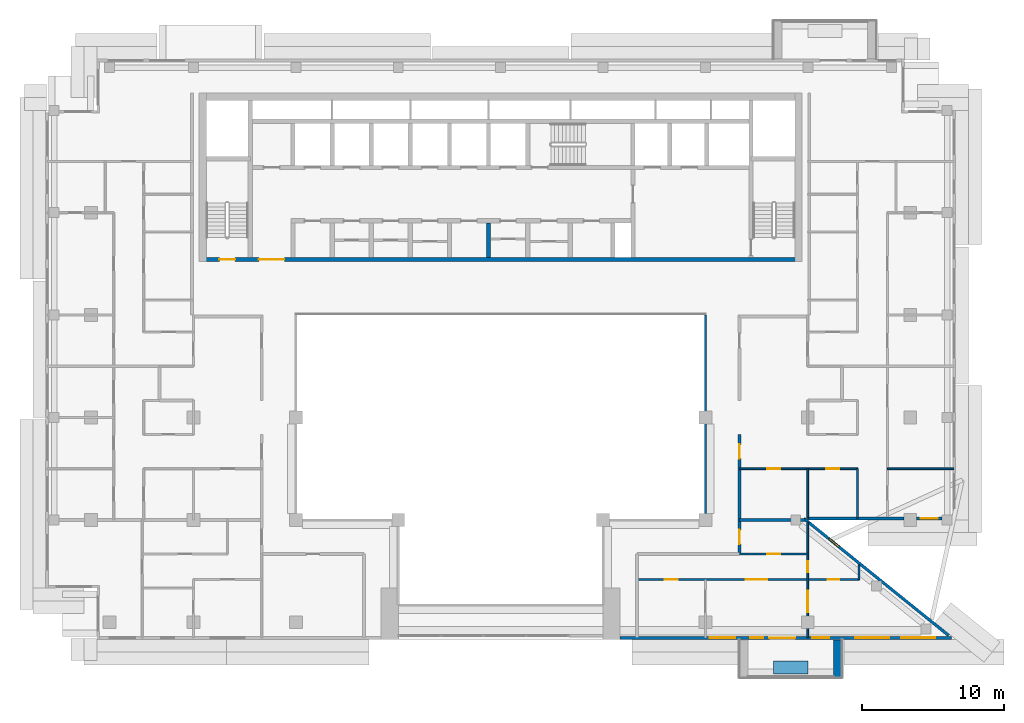
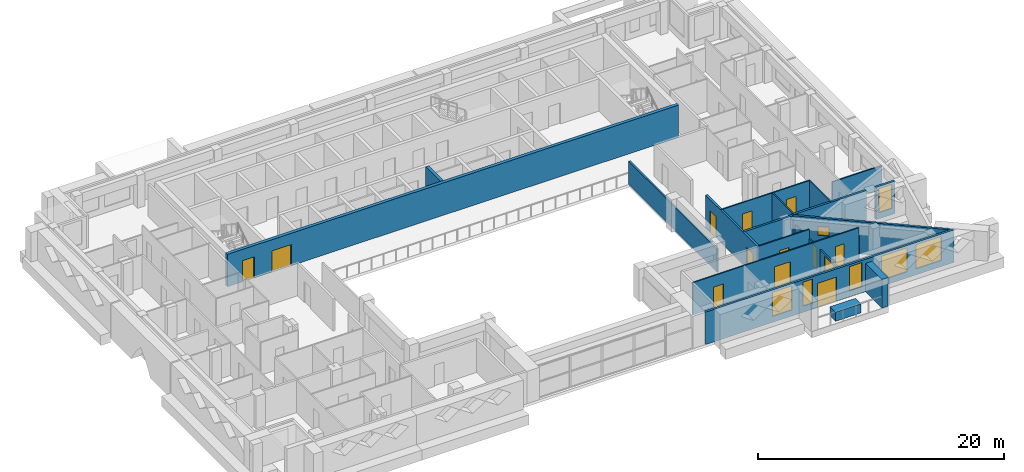
# One storey, part 8 of 19: 19 walls, 13 doors, 7 windows, 20 openings.
"""IFC4 building model written with IfcOpenShell, lengths in metres."""

from ifc_helpers import new_model, si_unit, direction, frame, frame_2d, origin, place, context, subcontext, project, spatial, rectangle, extrude, material, layer, layer_set, type_object, element, fill, save


model = new_model("IFC4")

# Units and contexts
model_context = context("Model", 3, precision=1e-05, world=origin(), true_north=direction((0.0, 1.0)))
body_context = subcontext(model_context, "Body", "Model", "MODEL_VIEW")
ifc_project = project(units=[si_unit("LENGTHUNIT", "METRE"), si_unit("AREAUNIT", "SQUARE_METRE"), si_unit("VOLUMEUNIT", "CUBIC_METRE"), si_unit("PLANEANGLEUNIT", "RADIAN"), si_unit("MASSUNIT", "GRAM", prefix="KILO")], contexts=[model_context])

# Site, building, storey
site_placement = place(None, origin())
site = spatial("IfcSite", under=ifc_project, at=site_placement, CompositionType="ELEMENT")
building_placement = place(site_placement, origin())
building = spatial("IfcBuilding", under=site, at=building_placement, Name="Saffron Iwan Residences", CompositionType="ELEMENT")
storey_placement = place(building_placement, frame((0.0, 0.0, 215.0)))
storey = spatial("IfcBuildingStorey", under=building, at=storey_placement, Name="L57", CompositionType="ELEMENT", Elevation=215.0)

# Walls
ifc_material_1 = material(Name="Fire-rated glazing", Category="glass")
ifc_layer_1 = layer(ifc_material_1, 0.14990234375)
ifc_layer_set_1 = layer_set([ifc_layer_1], Name="Fire-rated glazing")
wall_type_1 = type_object("IfcWallType", Name="Atrium glazed screen 150", PredefinedType="SOLIDWALL", material=ifc_layer_set_1)
wall_1_placement = place(storey_placement, frame((64.800048828125, 48.0, 0.0), z_axis=(0.0, 0.0, 1.0), x_axis=(0.0, 1.0, 0.0)))
element("IfcWall", 1, at=wall_1_placement, inside=storey, type_object=wall_type_1, Name="W-L57-SCREEN-v64.8-48", PredefinedType="SOLIDWALL", context=body_context, shape_type="SweptSolid", body=[
    extrude(rectangle(XDim=14.39990234375, YDim=0.14990234375, at=frame_2d((7.199951171875, 0.0))), origin(), (0.0, 0.0, 1.0), 2.320068359375),
])
ifc_material_2 = material(Name="Concrete C50/60 white painted", Category="concrete")
ifc_layer_2 = layer(ifc_material_2, 0.60009765625)
ifc_layer_set_2 = layer_set([ifc_layer_2], Name="Concrete C50/60 white painted")
wall_type_2 = type_object("IfcWallType", Name="BALCONY FIN 600", PredefinedType="SOLIDWALL", material=ifc_layer_set_2)
wall_2_placement = place(storey_placement, frame((74.10009765625, 39.550048828125, 0.0), z_axis=(0.0, 0.0, 1.0), x_axis=(0.0, -1.0, 0.0)))
element("IfcWall", 2, at=wall_2_placement, inside=storey, type_object=wall_type_2, Name="Balcony fin L57 11-1b", PredefinedType="SOLIDWALL", context=body_context, shape_type="SweptSolid", body=[
    extrude(rectangle(XDim=2.650146484375, YDim=0.60009765625, at=frame_2d((1.3251953125, 0.0))), origin(), (0.0, 0.0, 1.0), 2.85009765625),
])
ifc_material_3 = material(Name="Concrete C35/45 white painted", Category="concrete")
ifc_layer_3 = layer(ifc_material_3, 0.14990234375)
ifc_layer_set_3 = layer_set([ifc_layer_3], Name="Concrete C35/45 white painted")
wall_type_3 = type_object("IfcWallType", Name="BALCONY PLANTER", PredefinedType="SOLIDWALL", material=ifc_layer_set_3)
wall_3_placement = place(storey_placement, frame((69.60009765625, 37.625, 0.0), z_axis=(0.0, 0.0, 1.0), x_axis=(1.0, 0.0, 0.0)))
element("IfcWall", 3, at=wall_3_placement, inside=storey, type_object=wall_type_3, Name="PLANTER L57 11-1", PredefinedType="SOLIDWALL", context=body_context, shape_type="SweptSolid", body=[
    extrude(rectangle(XDim=2.39990234375, YDim=0.89990234375, at=frame_2d((1.199951171875, 0.0))), origin(), (0.0, 0.0, 1.0), 0.89990234375),
])

# Wall, opening, window
ifc_material_4 = material(Name="Concrete C40/50", Category="concrete")
ifc_layer_4 = layer(ifc_material_4, 0.199951171875)
ifc_layer_set_4 = layer_set([ifc_layer_4], Name="Concrete C40/50")
wall_type_4 = type_object("IfcWallType", Name="EXTERNAL WALL 200", PredefinedType="SOLIDWALL", material=ifc_layer_set_4)
wall_4_placement = place(storey_placement, frame((81.906982421875, 39.86962890625, 0.0), z_axis=(0.0, 0.0, 1.0), x_axis=(-0.777936274417, 0.62834318087, 0.0)))
wall_4 = element("IfcWall", 4, at=wall_4_placement, inside=storey, type_object=wall_type_4, Name="External wall L57 F0.0", PredefinedType="SOLIDWALL", context=body_context, shape_type="SweptSolid", body=[
    extrude(rectangle(XDim=13.0986328125, YDim=0.199951171875, at=frame_2d((6.54931640625, 0.0))), origin(), (0.0, 0.0, 1.0), 3.219970703125),
])
opening_1_placement = place(wall_4_placement, frame((9.9384765625, 0.0, 1.5)))
opening_1 = element("IfcOpeningElement", 5, at=opening_1_placement, cuts=wall_4, Name="Opening W6", PredefinedType="OPENING", context=body_context, shape_type="SweptSolid", body=[
    extrude(rectangle(XDim=0.89990234375, YDim=0.89990234375, at=frame_2d((0.449951171875, 0.449951171875))), frame((0.0, 0.10986328125, 0.0), z_axis=(0.0, -1.0, 0.0), x_axis=(1.0, 0.0, 0.0)), (0.0, 0.0, 1.0), 0.219970703125),
])
ifc_material_5 = material(Name="Clear glass, laminated double glazed", Category="glass")
window_type_1 = type_object("IfcWindowType", Name="WINDOW 900 x 900 BATH", PartitioningType="SINGLE_PANEL", PredefinedType="WINDOW", material=ifc_material_5)
window_1_placement = place(opening_1_placement, origin())
window_1 = element("IfcWindow", 6, at=window_1_placement, inside=storey, type_object=window_type_1, Name="Window L57 F0.0", OverallHeight=0.89990234375, OverallWidth=0.89990234375, PartitioningType="SINGLE_PANEL", PredefinedType="WINDOW", context=body_context, shape_type="SweptSolid", body=[
    extrude(rectangle(XDim=0.89990234375, YDim=0.89990234375, at=frame_2d((0.449951171875, 0.449951171875))), frame((0.0, 0.030029296875, 0.0), z_axis=(0.0, -1.0, 0.0), x_axis=(1.0, 0.0, 0.0)), (0.0, 0.0, 1.0), 0.06005859375),
])
fill(opening_1, window_1)

# Wall
wall_5_placement = place(storey_placement, frame((71.987060546875, 48.10009765625, 0.0), z_axis=(0.0, 0.0, 1.0), x_axis=(1.0, 0.0, 0.0)))
element("IfcWall", 7, at=wall_5_placement, inside=storey, type_object=wall_type_4, Name="External wall L57 F1.0", PredefinedType="SOLIDWALL", context=body_context, shape_type="SweptSolid", body=[
    extrude(rectangle(XDim=6.762939453125, YDim=0.199951171875, at=frame_2d((3.38134765625, 0.0))), origin(), (0.0, 0.0, 1.0), 3.219970703125),
])

# Wall, opening, window
wall_6_placement = place(storey_placement, frame((79.64990234375, 48.10009765625, 0.0), z_axis=(0.0, 0.0, 1.0), x_axis=(1.0, 0.0, 0.0)))
wall_6 = element("IfcWall", 8, at=wall_6_placement, inside=storey, type_object=wall_type_4, Name="External wall L57 F1.1", PredefinedType="SOLIDWALL", context=body_context, shape_type="SweptSolid", body=[
    extrude(rectangle(XDim=1.800048828125, YDim=0.199951171875, at=frame_2d((0.89990234375, 0.0))), origin(), (0.0, 0.0, 1.0), 3.219970703125),
])
opening_2_placement = place(wall_6_placement, frame((0.300048828125, 0.0, 0.60009765625)))
opening_2 = element("IfcOpeningElement", 9, at=opening_2_placement, cuts=wall_6, Name="Opening W3", PredefinedType="OPENING", context=body_context, shape_type="SweptSolid", body=[
    extrude(rectangle(XDim=1.199951171875, YDim=2.39990234375, at=frame_2d((0.60009765625, 1.199951171875))), frame((0.0, 0.10986328125, 0.0), z_axis=(0.0, -1.0, 0.0), x_axis=(1.0, 0.0, 0.0)), (0.0, 0.0, 1.0), 0.219970703125),
])
window_type_2 = type_object("IfcWindowType", Name="WINDOW 1200 x 2400", PartitioningType="SINGLE_PANEL", PredefinedType="WINDOW", material=ifc_material_5)
window_2_placement = place(opening_2_placement, origin())
window_2 = element("IfcWindow", 10, at=window_2_placement, inside=storey, type_object=window_type_2, Name="Window L57 F1.0", OverallHeight=2.39990234375, OverallWidth=1.199951171875, PartitioningType="SINGLE_PANEL", PredefinedType="WINDOW", context=body_context, shape_type="SweptSolid", body=[
    extrude(rectangle(XDim=1.199951171875, YDim=2.39990234375, at=frame_2d((0.60009765625, 1.199951171875))), frame((0.0, 0.030029296875, 0.0), z_axis=(0.0, -1.0, 0.0), x_axis=(1.0, 0.0, 0.0)), (0.0, 0.0, 1.0), 0.06005859375),
])
fill(opening_2, window_2)

# Wall, openings, door, windows
wall_7_placement = place(storey_placement, frame((58.800048828125, 39.699951171875, 0.0), z_axis=(0.0, 0.0, 1.0), x_axis=(1.0, 0.0, 0.0)))
wall_7 = element("IfcWall", 11, at=wall_7_placement, inside=storey, type_object=wall_type_4, Name="External wall L57 F11.1", PredefinedType="SOLIDWALL", context=body_context, shape_type="SweptSolid", body=[
    extrude(rectangle(XDim=23.31689453125, YDim=0.199951171875, at=frame_2d((11.658447265625, 0.0))), origin(), (0.0, 0.0, 1.0), 3.219970703125),
])
opening_3_placement = place(wall_7_placement, frame((10.5, 0.0, 0.0)))
opening_3 = element("IfcOpeningElement", 12, at=opening_3_placement, cuts=wall_7, Name="Opening BD1", PredefinedType="OPENING", context=body_context, shape_type="SweptSolid", body=[
    extrude(rectangle(XDim=1.800048828125, YDim=2.39990234375, at=frame_2d((0.89990234375, 1.199951171875))), frame((0.0, 0.10986328125, 0.0), z_axis=(0.0, -1.0, 0.0), x_axis=(1.0, 0.0, 0.0)), (0.0, 0.0, 1.0), 0.219970703125),
])
opening_4_placement = place(wall_7_placement, frame((6.300048828125, 0.0, 0.60009765625)))
opening_4 = element("IfcOpeningElement", 13, at=opening_4_placement, cuts=wall_7, Name="Opening W8", PredefinedType="OPENING", context=body_context, shape_type="SweptSolid", body=[
    extrude(rectangle(XDim=1.800048828125, YDim=2.39990234375, at=frame_2d((0.89990234375, 1.199951171875))), frame((0.0, 0.10986328125, 0.0), z_axis=(0.0, -1.0, 0.0), x_axis=(1.0, 0.0, 0.0)), (0.0, 0.0, 1.0), 0.219970703125),
])
opening_5_placement = place(wall_7_placement, frame((9.14990234375, 0.0, 0.60009765625)))
opening_5 = element("IfcOpeningElement", 14, at=opening_5_placement, cuts=wall_7, Name="Opening W10", PredefinedType="OPENING", context=body_context, shape_type="SweptSolid", body=[
    extrude(rectangle(XDim=0.89990234375, YDim=2.39990234375, at=frame_2d((0.449951171875, 1.199951171875))), frame((0.0, 0.10986328125, 0.0), z_axis=(0.0, -1.0, 0.0), x_axis=(1.0, 0.0, 0.0)), (0.0, 0.0, 1.0), 0.219970703125),
])
opening_6_placement = place(wall_7_placement, frame((13.5, 0.0, 0.60009765625)))
opening_6 = element("IfcOpeningElement", 15, at=opening_6_placement, cuts=wall_7, Name="Opening W3", PredefinedType="OPENING", context=body_context, shape_type="SweptSolid", body=[
    extrude(rectangle(XDim=1.199951171875, YDim=2.39990234375, at=frame_2d((0.60009765625, 1.199951171875))), frame((0.0, 0.10986328125, 0.0), z_axis=(0.0, -1.0, 0.0), x_axis=(1.0, 0.0, 0.0)), (0.0, 0.0, 1.0), 0.219970703125),
])
opening_7_placement = place(wall_7_placement, frame((16.5390625, 0.0, 0.60009765625)))
opening_7 = element("IfcOpeningElement", 16, at=opening_7_placement, cuts=wall_7, Name="Opening W1", PredefinedType="OPENING", context=body_context, shape_type="SweptSolid", body=[
    extrude(rectangle(XDim=2.39990234375, YDim=2.39990234375, at=frame_2d((1.199951171875, 1.199951171875))), frame((0.0, 0.10986328125, 0.0), z_axis=(0.0, -1.0, 0.0), x_axis=(1.0, 0.0, 0.0)), (0.0, 0.0, 1.0), 0.219970703125),
])
opening_8_placement = place(wall_7_placement, frame((19.778076171875, 0.0, 0.60009765625)))
opening_8 = element("IfcOpeningElement", 17, at=opening_8_placement, cuts=wall_7, Name="Opening W1", PredefinedType="OPENING", context=body_context, shape_type="SweptSolid", body=[
    extrude(rectangle(XDim=2.39990234375, YDim=2.39990234375, at=frame_2d((1.199951171875, 1.199951171875))), frame((0.0, 0.10986328125, 0.0), z_axis=(0.0, -1.0, 0.0), x_axis=(1.0, 0.0, 0.0)), (0.0, 0.0, 1.0), 0.219970703125),
])
door_type_1 = type_object("IfcDoorType", Name="BALCONY DOOR 1800 x 2400", OperationType="DOUBLE_DOOR_SLIDING", PredefinedType="DOOR", material=ifc_material_5)
door_1_placement = place(opening_3_placement, origin())
door_1 = element("IfcDoor", 18, at=door_1_placement, inside=storey, type_object=door_type_1, Name="Balcony door L57 F11.0", OperationType="DOUBLE_DOOR_SLIDING", OverallHeight=2.39990234375, OverallWidth=1.800048828125, PredefinedType="DOOR", context=body_context, shape_type="SweptSolid", body=[
    extrude(rectangle(XDim=1.800048828125, YDim=2.39990234375, at=frame_2d((0.89990234375, 1.199951171875))), frame((0.0, 0.02490234375, 0.0), z_axis=(0.0, -1.0, 0.0), x_axis=(1.0, 0.0, 0.0)), (0.0, 0.0, 1.0), 0.050048828125),
])
fill(opening_3, door_1)
window_3_placement = place(opening_6_placement, origin())
window_3 = element("IfcWindow", 19, at=window_3_placement, inside=storey, type_object=window_type_2, Name="Window L57 F11.3", OverallHeight=2.39990234375, OverallWidth=1.199951171875, PartitioningType="SINGLE_PANEL", PredefinedType="WINDOW", context=body_context, shape_type="SweptSolid", body=[
    extrude(rectangle(XDim=1.199951171875, YDim=2.39990234375, at=frame_2d((0.60009765625, 1.199951171875))), frame((0.0, 0.030029296875, 0.0), z_axis=(0.0, -1.0, 0.0), x_axis=(1.0, 0.0, 0.0)), (0.0, 0.0, 1.0), 0.06005859375),
])
fill(opening_6, window_3)
window_type_3 = type_object("IfcWindowType", Name="WINDOW 1800 x 2400", PartitioningType="DOUBLE_PANEL_VERTICAL", PredefinedType="WINDOW", material=ifc_material_5)
window_4_placement = place(opening_4_placement, origin())
window_4 = element("IfcWindow", 20, at=window_4_placement, inside=storey, type_object=window_type_3, Name="Window L57 F11.1", OverallHeight=2.39990234375, OverallWidth=1.800048828125, PartitioningType="DOUBLE_PANEL_VERTICAL", PredefinedType="WINDOW", context=body_context, shape_type="SweptSolid", body=[
    extrude(rectangle(XDim=1.800048828125, YDim=2.39990234375, at=frame_2d((0.89990234375, 1.199951171875))), frame((0.0, 0.030029296875, 0.0), z_axis=(0.0, -1.0, 0.0), x_axis=(1.0, 0.0, 0.0)), (0.0, 0.0, 1.0), 0.06005859375),
])
fill(opening_4, window_4)
window_type_4 = type_object("IfcWindowType", Name="WINDOW 2400 x 2400", PartitioningType="DOUBLE_PANEL_VERTICAL", PredefinedType="WINDOW", material=ifc_material_5)
window_5_placement = place(opening_7_placement, origin())
window_5 = element("IfcWindow", 21, at=window_5_placement, inside=storey, type_object=window_type_4, Name="Window L57 F11.4", OverallHeight=2.39990234375, OverallWidth=2.39990234375, PartitioningType="DOUBLE_PANEL_VERTICAL", PredefinedType="WINDOW", context=body_context, shape_type="SweptSolid", body=[
    extrude(rectangle(XDim=2.39990234375, YDim=2.39990234375, at=frame_2d((1.199951171875, 1.199951171875))), frame((0.0, 0.030029296875, 0.0), z_axis=(0.0, -1.0, 0.0), x_axis=(1.0, 0.0, 0.0)), (0.0, 0.0, 1.0), 0.06005859375),
])
fill(opening_7, window_5)
window_6_placement = place(opening_8_placement, origin())
window_6 = element("IfcWindow", 22, at=window_6_placement, inside=storey, type_object=window_type_4, Name="Window L57 F11.5", OverallHeight=2.39990234375, OverallWidth=2.39990234375, PartitioningType="DOUBLE_PANEL_VERTICAL", PredefinedType="WINDOW", context=body_context, shape_type="SweptSolid", body=[
    extrude(rectangle(XDim=2.39990234375, YDim=2.39990234375, at=frame_2d((1.199951171875, 1.199951171875))), frame((0.0, 0.030029296875, 0.0), z_axis=(0.0, -1.0, 0.0), x_axis=(1.0, 0.0, 0.0)), (0.0, 0.0, 1.0), 0.06005859375),
])
fill(opening_8, window_6)
window_type_5 = type_object("IfcWindowType", Name="WINDOW 900 x 2400", PartitioningType="SINGLE_PANEL", PredefinedType="WINDOW", material=ifc_material_5)
window_7_placement = place(opening_5_placement, origin())
window_7 = element("IfcWindow", 23, at=window_7_placement, inside=storey, type_object=window_type_5, Name="Window L57 F11.2", OverallHeight=2.39990234375, OverallWidth=0.89990234375, PartitioningType="SINGLE_PANEL", PredefinedType="WINDOW", context=body_context, shape_type="SweptSolid", body=[
    extrude(rectangle(XDim=0.89990234375, YDim=2.39990234375, at=frame_2d((0.449951171875, 1.199951171875))), frame((0.0, 0.030029296875, 0.0), z_axis=(0.0, -1.0, 0.0), x_axis=(1.0, 0.0, 0.0)), (0.0, 0.0, 1.0), 0.06005859375),
])
fill(opening_5, window_7)

# Wall
ifc_material_6 = material(Name="Fire-rated gypsum board wall")
ifc_layer_5 = layer(ifc_material_6, 0.199951171875)
ifc_layer_set_5 = layer_set([ifc_layer_5], Name="Fire-rated gypsum board wall")
wall_type_5 = type_object("IfcWallType", Name="Flat demising wall 200", PredefinedType="SOLIDWALL", material=ifc_layer_set_5)
wall_8_placement = place(storey_placement, frame((67.199951171875, 48.0, 0.0), z_axis=(0.0, 0.0, 1.0), x_axis=(1.0, 0.0, 0.0)))
element("IfcWall", 24, at=wall_8_placement, inside=storey, type_object=wall_type_5, Name="W-L57-DEMISE-h48-67.2", PredefinedType="SOLIDWALL", context=body_context, shape_type="SweptSolid", body=[
    extrude(rectangle(XDim=4.60107421875, YDim=0.199951171875, at=frame_2d((2.300537109375, 0.0))), origin(), (0.0, 0.0, 1.0), 3.219970703125),
])

# Wall, openings, doors
ifc_material_7 = material(Name="Gypsum board partition")
ifc_layer_6 = layer(ifc_material_7, 0.1201171875)
ifc_layer_set_6 = layer_set([ifc_layer_6], Name="Gypsum board partition")
wall_type_6 = type_object("IfcWallType", Name="Flat partition 120", PredefinedType="PARTITIONING", material=ifc_layer_set_6)
wall_9_placement = place(storey_placement, frame((60.0, 43.800048828125, 0.0), z_axis=(0.0, 0.0, 1.0), x_axis=(1.0, 0.0, 0.0)))
wall_9 = element("IfcWall", 25, at=wall_9_placement, inside=storey, type_object=wall_type_6, Name="W-L57-PART-h43.8-60", PredefinedType="PARTITIONING", context=body_context, shape_type="SweptSolid", body=[
    extrude(rectangle(XDim=15.60009765625, YDim=0.1201171875, at=frame_2d((7.800048828125, 0.0))), origin(), (0.0, 0.0, 1.0), 3.219970703125),
])
opening_9_placement = place(wall_9_placement, frame((7.64990234375, 0.0, 0.0)))
opening_9 = element("IfcOpeningElement", 26, at=opening_9_placement, cuts=wall_9, Name="Opening FD4", PredefinedType="OPENING", context=body_context, shape_type="SweptSolid", body=[
    extrude(rectangle(XDim=1.5, YDim=2.10009765625, at=frame_2d((0.75, 1.050048828125))), frame((0.0, 0.070068359375, 0.0), z_axis=(0.0, -1.0, 0.0), x_axis=(1.0, 0.0, 0.0)), (0.0, 0.0, 1.0), 0.14013671875),
])
opening_10_placement = place(wall_9_placement, frame((1.949951171875, 0.0, 0.0)))
opening_10 = element("IfcOpeningElement", 27, at=opening_10_placement, cuts=wall_9, Name="Opening FD2", PredefinedType="OPENING", context=body_context, shape_type="SweptSolid", body=[
    extrude(rectangle(XDim=0.89990234375, YDim=2.10009765625, at=frame_2d((0.449951171875, 1.050048828125))), frame((0.0, 0.070068359375, 0.0), z_axis=(0.0, -1.0, 0.0), x_axis=(1.0, 0.0, 0.0)), (0.0, 0.0, 1.0), 0.14013671875),
])
opening_11_placement = place(wall_9_placement, frame((13.39990234375, 0.0, 0.0)))
opening_11 = element("IfcOpeningElement", 28, at=opening_11_placement, cuts=wall_9, Name="Opening FD3", PredefinedType="OPENING", context=body_context, shape_type="SweptSolid", body=[
    extrude(rectangle(XDim=0.800048828125, YDim=2.10009765625, at=frame_2d((0.39990234375, 1.050048828125))), frame((0.0, 0.070068359375, 0.0), z_axis=(0.0, -1.0, 0.0), x_axis=(1.0, 0.0, 0.0)), (0.0, 0.0, 1.0), 0.14013671875),
])
ifc_material_8 = material(Name="Timber door", Category="wood")
door_type_2 = type_object("IfcDoorType", Name="Bathroom door 800", OperationType="NOTDEFINED", PredefinedType="DOOR", material=ifc_material_8)
door_2_placement = place(opening_11_placement, origin())
door_2 = element("IfcDoor", 29, at=door_2_placement, inside=storey, type_object=door_type_2, Name="Door L57-047", OperationType="SINGLE_SWING_LEFT", OverallHeight=2.10009765625, OverallWidth=0.800048828125, PredefinedType="DOOR", context=body_context, shape_type="SweptSolid", body=[
    extrude(rectangle(XDim=0.800048828125, YDim=2.10009765625, at=frame_2d((0.39990234375, 1.050048828125))), frame((0.0, 0.02490234375, 0.0), z_axis=(0.0, -1.0, 0.0), x_axis=(1.0, 0.0, 0.0)), (0.0, 0.0, 1.0), 0.050048828125),
])
fill(opening_11, door_2)
door_type_3 = type_object("IfcDoorType", Name="Double door 1500", OperationType="NOTDEFINED", PredefinedType="DOOR", material=ifc_material_8)
door_3_placement = place(opening_9_placement, origin())
door_3 = element("IfcDoor", 30, at=door_3_placement, inside=storey, type_object=door_type_3, Name="Door L57-043", OperationType="SINGLE_SWING_RIGHT", OverallHeight=2.10009765625, OverallWidth=1.5, PredefinedType="DOOR", context=body_context, shape_type="SweptSolid", body=[
    extrude(rectangle(XDim=1.5, YDim=2.10009765625, at=frame_2d((0.75, 1.050048828125))), frame((0.0, 0.02490234375, 0.0), z_axis=(0.0, -1.0, 0.0), x_axis=(1.0, 0.0, 0.0)), (0.0, 0.0, 1.0), 0.050048828125),
])
fill(opening_9, door_3)
door_type_4 = type_object("IfcDoorType", Name="Flat door 900", OperationType="NOTDEFINED", PredefinedType="DOOR", material=ifc_material_8)
door_4_placement = place(opening_10_placement, origin())
door_4 = element("IfcDoor", 31, at=door_4_placement, inside=storey, type_object=door_type_4, Name="Door L57-044", OperationType="SINGLE_SWING_LEFT", OverallHeight=2.10009765625, OverallWidth=0.89990234375, PredefinedType="DOOR", context=body_context, shape_type="SweptSolid", body=[
    extrude(rectangle(XDim=0.89990234375, YDim=2.10009765625, at=frame_2d((0.449951171875, 1.050048828125))), frame((0.0, 0.02490234375, 0.0), z_axis=(0.0, -1.0, 0.0), x_axis=(1.0, 0.0, 0.0)), (0.0, 0.0, 1.0), 0.050048828125),
])
fill(opening_10, door_4)

# Wall, opening, door
wall_10_placement = place(storey_placement, frame((67.199951171875, 45.60009765625, 0.0), z_axis=(0.0, 0.0, 1.0), x_axis=(1.0, 0.0, 0.0)))
wall_10 = element("IfcWall", 32, at=wall_10_placement, inside=storey, type_object=wall_type_6, Name="W-L57-PART-h45.6-67.2", PredefinedType="PARTITIONING", context=body_context, shape_type="SweptSolid", body=[
    extrude(rectangle(XDim=4.800048828125, YDim=0.1201171875, at=frame_2d((2.39990234375, 0.0))), origin(), (0.0, 0.0, 1.0), 3.219970703125),
])
opening_12_placement = place(wall_10_placement, frame((1.949951171875, 0.0, 0.0)))
opening_12 = element("IfcOpeningElement", 33, at=opening_12_placement, cuts=wall_10, Name="Opening FD2", PredefinedType="OPENING", context=body_context, shape_type="SweptSolid", body=[
    extrude(rectangle(XDim=0.89990234375, YDim=2.10009765625, at=frame_2d((0.449951171875, 1.050048828125))), frame((0.0, 0.070068359375, 0.0), z_axis=(0.0, -1.0, 0.0), x_axis=(1.0, 0.0, 0.0)), (0.0, 0.0, 1.0), 0.14013671875),
])
door_5_placement = place(opening_12_placement, origin())
door_5 = element("IfcDoor", 34, at=door_5_placement, inside=storey, type_object=door_type_4, Name="Door L57-041", OperationType="SINGLE_SWING_LEFT", OverallHeight=2.10009765625, OverallWidth=0.89990234375, PredefinedType="DOOR", context=body_context, shape_type="SweptSolid", body=[
    extrude(rectangle(XDim=0.89990234375, YDim=2.10009765625, at=frame_2d((0.449951171875, 1.050048828125))), frame((0.0, 0.02490234375, 0.0), z_axis=(0.0, -1.0, 0.0), x_axis=(1.0, 0.0, 0.0)), (0.0, 0.0, 1.0), 0.050048828125),
])
fill(opening_12, door_5)

# Wall, openings, doors
wall_11_placement = place(storey_placement, frame((67.199951171875, 51.60009765625, 0.0), z_axis=(0.0, 0.0, 1.0), x_axis=(1.0, 0.0, 0.0)))
wall_11 = element("IfcWall", 35, at=wall_11_placement, inside=storey, type_object=wall_type_6, Name="W-L57-PART-h51.6-67.2", PredefinedType="PARTITIONING", context=body_context, shape_type="SweptSolid", body=[
    extrude(rectangle(XDim=8.300048828125, YDim=0.1201171875, at=frame_2d((4.14990234375, 0.0))), origin(), (0.0, 0.0, 1.0), 3.219970703125),
])
opening_13_placement = place(wall_11_placement, frame((6.10009765625, 0.0, 0.0)))
opening_13 = element("IfcOpeningElement", 36, at=opening_13_placement, cuts=wall_11, Name="Opening FD2", PredefinedType="OPENING", context=body_context, shape_type="SweptSolid", body=[
    extrude(rectangle(XDim=0.89990234375, YDim=2.10009765625, at=frame_2d((0.449951171875, 1.050048828125))), frame((0.0, 0.070068359375, 0.0), z_axis=(0.0, -1.0, 0.0), x_axis=(1.0, 0.0, 0.0)), (0.0, 0.0, 1.0), 0.14013671875),
])
opening_14_placement = place(wall_11_placement, frame((1.949951171875, 0.0, 0.0)))
opening_14 = element("IfcOpeningElement", 37, at=opening_14_placement, cuts=wall_11, Name="Opening FD2", PredefinedType="OPENING", context=body_context, shape_type="SweptSolid", body=[
    extrude(rectangle(XDim=0.89990234375, YDim=2.10009765625, at=frame_2d((0.449951171875, 1.050048828125))), frame((0.0, 0.070068359375, 0.0), z_axis=(0.0, -1.0, 0.0), x_axis=(1.0, 0.0, 0.0)), (0.0, 0.0, 1.0), 0.14013671875),
])
door_6_placement = place(opening_13_placement, origin())
door_6 = element("IfcDoor", 38, at=door_6_placement, inside=storey, type_object=door_type_4, Name="Door L57-017", OperationType="SINGLE_SWING_LEFT", OverallHeight=2.10009765625, OverallWidth=0.89990234375, PredefinedType="DOOR", context=body_context, shape_type="SweptSolid", body=[
    extrude(rectangle(XDim=0.89990234375, YDim=2.10009765625, at=frame_2d((0.449951171875, 1.050048828125))), frame((0.0, 0.02490234375, 0.0), z_axis=(0.0, -1.0, 0.0), x_axis=(1.0, 0.0, 0.0)), (0.0, 0.0, 1.0), 0.050048828125),
])
fill(opening_13, door_6)
door_7_placement = place(opening_14_placement, origin())
door_7 = element("IfcDoor", 39, at=door_7_placement, inside=storey, type_object=door_type_4, Name="Door L57-019", OperationType="SINGLE_SWING_RIGHT", OverallHeight=2.10009765625, OverallWidth=0.89990234375, PredefinedType="DOOR", context=body_context, shape_type="SweptSolid", body=[
    extrude(rectangle(XDim=0.89990234375, YDim=2.10009765625, at=frame_2d((0.449951171875, 1.050048828125))), frame((0.0, 0.02490234375, 0.0), z_axis=(0.0, -1.0, 0.0), x_axis=(1.0, 0.0, 0.0)), (0.0, 0.0, 1.0), 0.050048828125),
])
fill(opening_14, door_7)

# Wall
wall_12_placement = place(storey_placement, frame((77.60009765625, 51.60009765625, 0.0), z_axis=(0.0, 0.0, 1.0), x_axis=(1.0, 0.0, 0.0)))
element("IfcWall", 40, at=wall_12_placement, inside=storey, type_object=wall_type_6, Name="W-L57-PART-h51.6-77.6", PredefinedType="PARTITIONING", context=body_context, shape_type="SweptSolid", body=[
    extrude(rectangle(XDim=4.6748046875, YDim=0.1201171875, at=frame_2d((2.33740234375, 0.0))), origin(), (0.0, 0.0, 1.0), 2.320068359375),
])

# Wall, openings, doors
wall_13_placement = place(storey_placement, frame((72.0, 39.72509765625, 0.0), z_axis=(0.0, 0.0, 1.0), x_axis=(0.0, 1.0, 0.0)))
wall_13 = element("IfcWall", 41, at=wall_13_placement, inside=storey, type_object=wall_type_6, Name="W-L57-PART-v72-39.725", PredefinedType="PARTITIONING", context=body_context, shape_type="SweptSolid", body=[
    extrude(rectangle(XDim=8.114013671875, YDim=0.1201171875, at=frame_2d((4.05712890625, 0.0))), origin(), (0.0, 0.0, 1.0), 2.320068359375),
])
opening_15_placement = place(wall_13_placement, frame((1.78759765625, 0.0, 0.0)))
opening_15 = element("IfcOpeningElement", 42, at=opening_15_placement, cuts=wall_13, Name="Opening FD4", PredefinedType="OPENING", context=body_context, shape_type="SweptSolid", body=[
    extrude(rectangle(XDim=1.5, YDim=2.10009765625, at=frame_2d((0.75, 1.050048828125))), frame((0.0, 0.070068359375, 0.0), z_axis=(0.0, -1.0, 0.0), x_axis=(1.0, 0.0, 0.0)), (0.0, 0.0, 1.0), 0.14013671875),
])
opening_16_placement = place(wall_13_placement, frame((4.574951171875, 0.0, 0.0)))
opening_16 = element("IfcOpeningElement", 43, at=opening_16_placement, cuts=wall_13, Name="Opening FD3", PredefinedType="OPENING", context=body_context, shape_type="SweptSolid", body=[
    extrude(rectangle(XDim=0.800048828125, YDim=2.10009765625, at=frame_2d((0.39990234375, 1.050048828125))), frame((0.0, 0.070068359375, 0.0), z_axis=(0.0, -1.0, 0.0), x_axis=(1.0, 0.0, 0.0)), (0.0, 0.0, 1.0), 0.14013671875),
])
door_8_placement = place(opening_16_placement, origin())
door_8 = element("IfcDoor", 44, at=door_8_placement, inside=storey, type_object=door_type_2, Name="Door L57-046", OperationType="SINGLE_SWING_RIGHT", OverallHeight=2.10009765625, OverallWidth=0.800048828125, PredefinedType="DOOR", context=body_context, shape_type="SweptSolid", body=[
    extrude(rectangle(XDim=0.800048828125, YDim=2.10009765625, at=frame_2d((0.39990234375, 1.050048828125))), frame((0.0, 0.02490234375, 0.0), z_axis=(0.0, -1.0, 0.0), x_axis=(1.0, 0.0, 0.0)), (0.0, 0.0, 1.0), 0.050048828125),
])
fill(opening_16, door_8)
door_9_placement = place(opening_15_placement, origin())
door_9 = element("IfcDoor", 45, at=door_9_placement, inside=storey, type_object=door_type_3, Name="Door L57-045", OperationType="SINGLE_SWING_RIGHT", OverallHeight=2.10009765625, OverallWidth=1.5, PredefinedType="DOOR", context=body_context, shape_type="SweptSolid", body=[
    extrude(rectangle(XDim=1.5, YDim=2.10009765625, at=frame_2d((0.75, 1.050048828125))), frame((0.0, 0.02490234375, 0.0), z_axis=(0.0, -1.0, 0.0), x_axis=(1.0, 0.0, 0.0)), (0.0, 0.0, 1.0), 0.050048828125),
])
fill(opening_15, door_9)

# Walls
for number, where, z_axis, x_axis, name in (
    (46, (72.0, 48.125, 0.0), (0.0, 0.0, 1.0), (0.0, 1.0, 0.0), "W-L57-PART-v72-48.125"),
    (47, (75.5, 48.125, 0.0), (0.0, 0.0, 1.0), (0.0, 1.0, 0.0), "W-L57-PART-v75.5-48.125"),
):
    element("IfcWall", number, at=place(storey_placement, frame(where, z_axis=z_axis, x_axis=x_axis)), inside=storey, type_object=wall_type_6, Name=name, PredefinedType="PARTITIONING", context=body_context, shape_type="SweptSolid", body=[
        extrude(rectangle(XDim=3.47509765625, YDim=0.1201171875, at=frame_2d((1.737548828125, 0.0))), origin(), (0.0, 0.0, 1.0), 3.219970703125),
    ])
wall_14_placement = place(storey_placement, frame((75.60009765625, 43.800048828125, 0.0), z_axis=(0.0, 0.0, 1.0), x_axis=(0.0, 1.0, 0.0)))
element("IfcWall", 48, at=wall_14_placement, inside=storey, type_object=wall_type_6, Name="W-L57-PART-v75.6-43.8", PredefinedType="PARTITIONING", context=body_context, shape_type="SweptSolid", body=[
    extrude(rectangle(XDim=1.03515625, YDim=0.1201171875, at=frame_2d((0.517578125, 0.0))), origin(), (0.0, 0.0, 1.0), 2.320068359375),
])

# Wall, openings, doors
ifc_layer_7 = layer(ifc_material_6, 0.199951171875)
ifc_layer_set_7 = layer_set([ifc_layer_7], Name="Fire-rated gypsum board wall")
wall_type_7 = type_object("IfcWallType", Name="Gallery wall 200", PredefinedType="SOLIDWALL", material=ifc_layer_set_7)
wall_15_placement = place(storey_placement, frame((67.199951171875, 45.60009765625, 0.0), z_axis=(0.0, 0.0, 1.0), x_axis=(0.0, 1.0, 0.0)))
wall_15 = element("IfcWall", 49, at=wall_15_placement, inside=storey, type_object=wall_type_7, Name="W-L57-CORR-v67.2-45.6", PredefinedType="SOLIDWALL", context=body_context, shape_type="SweptSolid", body=[
    extrude(rectangle(XDim=8.39990234375, YDim=0.199951171875, at=frame_2d((4.199951171875, 0.0))), origin(), (0.0, 0.0, 1.0), 3.219970703125),
])
opening_17_placement = place(wall_15_placement, frame((6.699951171875, 0.0, 0.0)))
opening_17 = element("IfcOpeningElement", 50, at=opening_17_placement, cuts=wall_15, Name="Opening FD1", PredefinedType="OPENING", context=body_context, shape_type="SweptSolid", body=[
    extrude(rectangle(XDim=1.0, YDim=2.10009765625, at=frame_2d((0.5, 1.050048828125))), frame((0.0, 0.10986328125, 0.0), z_axis=(0.0, -1.0, 0.0), x_axis=(1.0, 0.0, 0.0)), (0.0, 0.0, 1.0), 0.219970703125),
])
opening_18_placement = place(wall_15_placement, frame((0.699951171875, 0.0, 0.0)))
opening_18 = element("IfcOpeningElement", 51, at=opening_18_placement, cuts=wall_15, Name="Opening FD5", PredefinedType="OPENING", context=body_context, shape_type="SweptSolid", body=[
    extrude(rectangle(XDim=1.0, YDim=2.10009765625, at=frame_2d((0.5, 1.050048828125))), frame((0.0, 0.10986328125, 0.0), z_axis=(0.0, -1.0, 0.0), x_axis=(1.0, 0.0, 0.0)), (0.0, 0.0, 1.0), 0.219970703125),
])
ifc_material_9 = material(Name="Fire-rated timber door", Category="wood")
door_type_5 = type_object("IfcDoorType", Name="FD30S flat entrance door 1000", OperationType="NOTDEFINED", PredefinedType="DOOR", material=ifc_material_9)
door_10_placement = place(opening_17_placement, origin())
door_10 = element("IfcDoor", 52, at=door_10_placement, inside=storey, type_object=door_type_5, Name="Door L57-014", OperationType="SINGLE_SWING_LEFT", OverallHeight=2.10009765625, OverallWidth=1.0, PredefinedType="DOOR", context=body_context, shape_type="SweptSolid", body=[
    extrude(rectangle(XDim=1.0, YDim=2.10009765625, at=frame_2d((0.5, 1.050048828125))), frame((0.0, 0.02490234375, 0.0), z_axis=(0.0, -1.0, 0.0), x_axis=(1.0, 0.0, 0.0)), (0.0, 0.0, 1.0), 0.050048828125),
])
fill(opening_17, door_10)
door_type_6 = type_object("IfcDoorType", Name="Lobby door 1000", OperationType="NOTDEFINED", PredefinedType="DOOR", material=ifc_material_9)
door_11_placement = place(opening_18_placement, origin())
door_11 = element("IfcDoor", 53, at=door_11_placement, inside=storey, type_object=door_type_6, Name="Door L57-042", OperationType="SINGLE_SWING_LEFT", OverallHeight=2.10009765625, OverallWidth=1.0, PredefinedType="DOOR", context=body_context, shape_type="SweptSolid", body=[
    extrude(rectangle(XDim=1.0, YDim=2.10009765625, at=frame_2d((0.5, 1.050048828125))), frame((0.0, 0.02490234375, 0.0), z_axis=(0.0, -1.0, 0.0), x_axis=(1.0, 0.0, 0.0)), (0.0, 0.0, 1.0), 0.050048828125),
])
fill(opening_18, door_11)

ifc_layer_8 = layer(ifc_material_4, 0.300048828125)
ifc_layer_set_8 = layer_set([ifc_layer_8], Name="Concrete C40/50")
wall_type_8 = type_object("IfcWallType", Name="WALL CORE 300 C40/50 3220 HIGH", PredefinedType="SHEAR", material=ifc_layer_set_8)
wall_16_placement = place(storey_placement, frame((29.199951171875, 66.300048828125, 0.0), z_axis=(0.0, 0.0, 1.0), x_axis=(1.0, 0.0, 0.0)))
wall_16 = element("IfcWall", 54, at=wall_16_placement, inside=storey, type_object=wall_type_8, Name="Core wall", PredefinedType="SHEAR", context=body_context, shape_type="SweptSolid", body=[
    extrude(rectangle(XDim=42.400146484375, YDim=0.300048828125, at=frame_2d((21.2001953125, 0.0))), origin(), (0.0, 0.0, 1.0), 3.219970703125),
])
opening_19_placement = place(wall_16_placement, frame((1.425048828125, 0.0, 0.0)))
opening_19 = element("IfcOpeningElement", 55, at=opening_19_placement, cuts=wall_16, Name="Opening SD", PredefinedType="OPENING", context=body_context, shape_type="SweptSolid", body=[
    extrude(rectangle(XDim=1.10009765625, YDim=2.10009765625, at=frame_2d((0.550048828125, 1.050048828125))), frame((0.0, 0.16015625, 0.0), z_axis=(0.0, -1.0, 0.0), x_axis=(1.0, 0.0, 0.0)), (0.0, 0.0, 1.0), 0.320068359375),
])
opening_20_placement = place(wall_16_placement, frame((4.199951171875, 0.0, 0.0)))
opening_20 = element("IfcOpeningElement", 56, at=opening_20_placement, cuts=wall_16, Name="Opening DD", PredefinedType="OPENING", context=body_context, shape_type="SweptSolid", body=[
    extrude(rectangle(XDim=1.800048828125, YDim=2.10009765625, at=frame_2d((0.89990234375, 1.050048828125))), frame((0.0, 0.16015625, 0.0), z_axis=(0.0, -1.0, 0.0), x_axis=(1.0, 0.0, 0.0)), (0.0, 0.0, 1.0), 0.320068359375),
])
ifc_material_10 = material(Name="Steel fire door", Category="steel")
door_type_7 = type_object("IfcDoorType", Name="Lobby double door 1800", OperationType="DOUBLE_DOOR_SINGLE_SWING", PredefinedType="DOOR", material=ifc_material_10)
door_12_placement = place(opening_20_placement, origin())
door_12 = element("IfcDoor", 57, at=door_12_placement, inside=storey, type_object=door_type_7, Name="Lobby doors", OperationType="DOUBLE_DOOR_SINGLE_SWING", OverallHeight=2.10009765625, OverallWidth=1.800048828125, PredefinedType="DOOR", context=body_context, shape_type="SweptSolid", body=[
    extrude(rectangle(XDim=1.800048828125, YDim=2.10009765625, at=frame_2d((0.89990234375, 1.050048828125))), frame((0.0, 0.02490234375, 0.0), z_axis=(0.0, -1.0, 0.0), x_axis=(1.0, 0.0, 0.0)), (0.0, 0.0, 1.0), 0.050048828125),
])
fill(opening_20, door_12)
door_type_8 = type_object("IfcDoorType", Name="Stair door 1100", OperationType="NOTDEFINED", PredefinedType="DOOR", material=ifc_material_10)
door_13_placement = place(opening_19_placement, origin())
door_13 = element("IfcDoor", 58, at=door_13_placement, inside=storey, type_object=door_type_8, Name="Stair door ST-W", OperationType="SINGLE_SWING_LEFT", OverallHeight=2.10009765625, OverallWidth=1.10009765625, PredefinedType="DOOR", context=body_context, shape_type="SweptSolid", body=[
    extrude(rectangle(XDim=1.10009765625, YDim=2.10009765625, at=frame_2d((0.550048828125, 1.050048828125))), frame((0.0, 0.02490234375, 0.0), z_axis=(0.0, -1.0, 0.0), x_axis=(1.0, 0.0, 0.0)), (0.0, 0.0, 1.0), 0.050048828125),
])
fill(opening_19, door_13)

# Wall
wall_17_placement = place(storey_placement, frame((49.550048828125, 66.449951171875, 0.0), z_axis=(0.0, 0.0, 1.0), x_axis=(0.0, 1.0, 0.0)))
element("IfcWall", 59, at=wall_17_placement, inside=storey, type_object=wall_type_8, Name="Core wall", PredefinedType="SHEAR", context=body_context, shape_type="SweptSolid", body=[
    extrude(rectangle(XDim=2.425048828125, YDim=0.300048828125, at=frame_2d((1.21240234375, 0.0))), origin(), (0.0, 0.0, 1.0), 3.219970703125),
])

save(model, "model.ifc")
